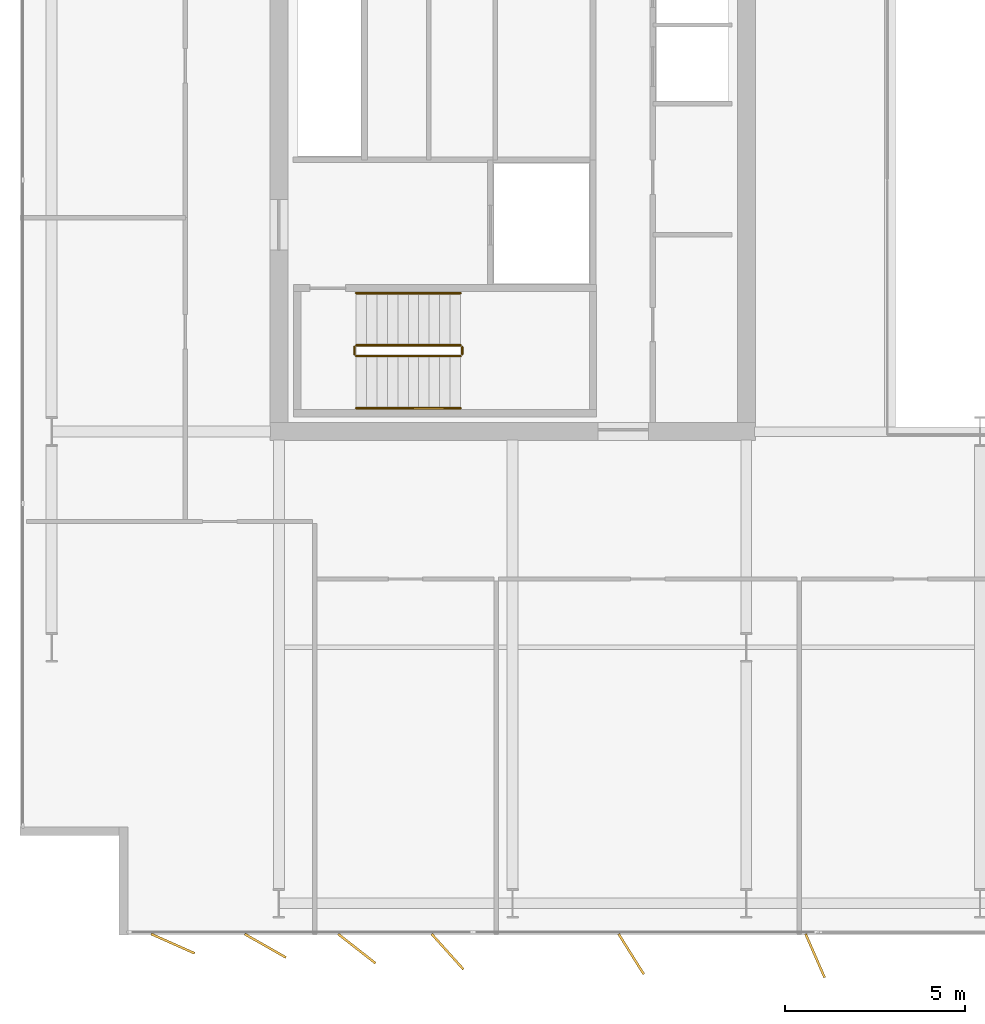
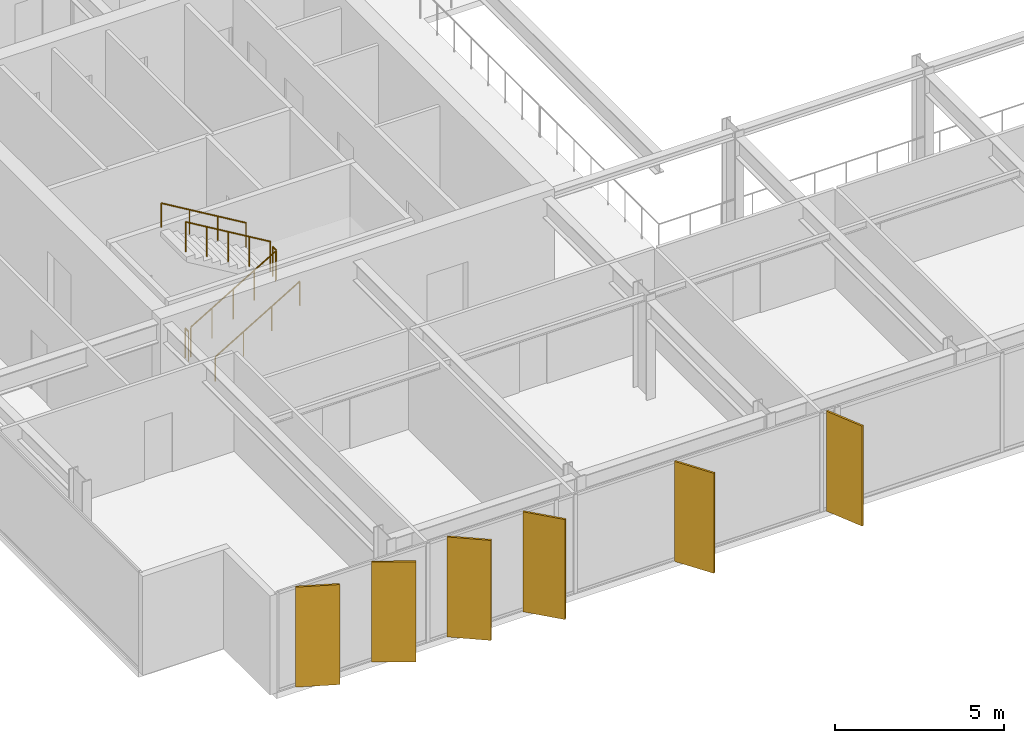
# One storey, part 21 of 24: 6 railings, 6 shading devices.
"""IFC4 building model written with IfcOpenShell, lengths in metres."""

from ifc_helpers import new_model, si_unit, direction, frame, origin, origin_2d, place, context, subcontext, project, spatial, rectangle, circle, extrude, material, layer, layer_set, type_object, element, save


model = new_model("IFC4")

# Units and contexts
model_context = context("Model", 3, precision=1e-05, world=origin(), true_north=direction((0.0, 1.0)))
body_context = subcontext(model_context, "Body", "Model", "MODEL_VIEW")
ifc_project = project(units=[si_unit("LENGTHUNIT", "METRE"), si_unit("AREAUNIT", "SQUARE_METRE"), si_unit("VOLUMEUNIT", "CUBIC_METRE"), si_unit("PLANEANGLEUNIT", "RADIAN"), si_unit("MASSUNIT", "GRAM", prefix="KILO")], contexts=[model_context])

# Site, building, storey
site_placement = place(None, origin())
site = spatial("IfcSite", under=ifc_project, at=site_placement, CompositionType="ELEMENT")
building_placement = place(site_placement, origin())
building = spatial("IfcBuilding", under=site, at=building_placement, Name="Putna Gate Headquarters", CompositionType="ELEMENT")
storey_placement = place(building_placement, frame((0.0, 0.0, 248.0)))
storey = spatial("IfcBuildingStorey", under=building, at=storey_placement, Name="L62", CompositionType="ELEMENT", Elevation=248.0)

# Railings
ifc_material_1 = material(Name="Powder-coated steel stair guardrail", Category="steel")
railing_type_1 = type_object("IfcRailingType", Name="RAIL-STAIR-GUARD-1100", PredefinedType="GUARDRAIL", material=ifc_material_1)
railing_1_placement = place(storey_placement, frame((15.14990234375, 21.10009765625, 0.172607421875)))
element("IfcRailing", 1, at=railing_1_placement, inside=storey, type_object=railing_type_1, Name="L62 ST1 stair guard 1", PredefinedType="GUARDRAIL", context=body_context, shape_type="SweptSolid", body=[
    extrude(circle(Radius=0.02392578125, at=origin_2d()), frame((0.0, 0.0, 1.076171875), z_axis=(0.859160404282, 0.0, 0.51170636083), x_axis=(0.0, 1.0, 0.0)), (0.0, 0.0, 1.0), 3.37548828125),
    extrude(circle(Radius=0.02099609375, at=origin_2d()), origin(), (0.0, 0.0, 1.0), 1.052001953125),
    extrude(circle(Radius=0.02099609375, at=origin_2d()), frame((0.72509765625, 0.0, 0.431884765625)), (0.0, 0.0, 1.0), 1.052001953125),
    extrude(circle(Radius=0.02099609375, at=origin_2d()), frame((1.4501953125, 0.0, 0.86376953125)), (0.0, 0.0, 1.0), 1.052001953125),
    extrude(circle(Radius=0.02099609375, at=origin_2d()), frame((2.175048828125, 0.0, 1.29541015625)), (0.0, 0.0, 1.0), 1.052001953125),
    extrude(circle(Radius=0.02099609375, at=origin_2d()), frame((2.900146484375, 0.0, 1.727294921875)), (0.0, 0.0, 1.0), 1.052001953125),
])
railing_2_placement = place(storey_placement, frame((18.10009765625, 21.14990234375, 1.89990234375)))
element("IfcRailing", 2, at=railing_2_placement, inside=storey, type_object=railing_type_1, Name="L62 ST1 stair guard 2", PredefinedType="GUARDRAIL", context=body_context, shape_type="SweptSolid", body=[
    extrude(circle(Radius=0.02392578125, at=origin_2d()), frame((0.0, 0.0, 1.076171875), z_axis=(0.0, 1.0, 0.0), x_axis=(-1.0, 0.0, 0.0)), (0.0, 0.0, 1.0), 0.2001953125),
    extrude(circle(Radius=0.02099609375, at=origin_2d()), origin(), (0.0, 0.0, 1.0), 1.052001953125),
    extrude(circle(Radius=0.02099609375, at=origin_2d()), frame((0.0, 0.2001953125, 0.0)), (0.0, 0.0, 1.0), 1.052001953125),
])
railing_3_placement = place(storey_placement, frame((18.050048828125, 21.39990234375, 2.07275390625)))
element("IfcRailing", 3, at=railing_3_placement, inside=storey, type_object=railing_type_1, Name="L62 ST1 stair guard 3", PredefinedType="GUARDRAIL", context=body_context, shape_type="SweptSolid", body=[
    extrude(circle(Radius=0.02392578125, at=origin_2d()), frame((0.0, 0.0, 1.076171875), z_axis=(-0.859160404282, 0.0, 0.51170636083), x_axis=(0.0, -1.0, 0.0)), (0.0, 0.0, 1.0), 3.37548828125),
    extrude(circle(Radius=0.02099609375, at=origin_2d()), origin(), (0.0, 0.0, 1.0), 1.052001953125),
    extrude(circle(Radius=0.02099609375, at=origin_2d()), frame((-0.72509765625, 0.0, 0.431884765625)), (0.0, 0.0, 1.0), 1.052001953125),
    extrude(circle(Radius=0.02099609375, at=origin_2d()), frame((-1.4501953125, 0.0, 0.86376953125)), (0.0, 0.0, 1.0), 1.052001953125),
    extrude(circle(Radius=0.02099609375, at=origin_2d()), frame((-2.175048828125, 0.0, 1.29541015625)), (0.0, 0.0, 1.0), 1.052001953125),
    extrude(circle(Radius=0.02099609375, at=origin_2d()), frame((-2.900146484375, 0.0, 1.727294921875)), (0.0, 0.0, 1.0), 1.052001953125),
])
railing_4_placement = place(storey_placement, frame((15.10009765625, 21.14990234375, 0.0)))
element("IfcRailing", 4, at=railing_4_placement, inside=storey, type_object=railing_type_1, Name="L62 ST1 stair guard 4", PredefinedType="GUARDRAIL", context=body_context, shape_type="SweptSolid", body=[
    extrude(circle(Radius=0.02392578125, at=origin_2d()), frame((0.0, 0.0, 1.076171875), z_axis=(0.0, 1.0, 0.0), x_axis=(-1.0, 0.0, 0.0)), (0.0, 0.0, 1.0), 0.2001953125),
    extrude(circle(Radius=0.02099609375, at=origin_2d()), origin(), (0.0, 0.0, 1.0), 1.052001953125),
    extrude(circle(Radius=0.02099609375, at=origin_2d()), frame((0.0, 0.2001953125, 0.0)), (0.0, 0.0, 1.0), 1.052001953125),
])
ifc_material_2 = material(Name="Brushed stainless steel handrail", Category="steel")
railing_type_2 = type_object("IfcRailingType", Name="RAIL-STAIR-HAND-900", PredefinedType="HANDRAIL", material=ifc_material_2)
railing_5_placement = place(storey_placement, frame((15.14990234375, 19.64990234375, 0.172607421875)))
element("IfcRailing", 5, at=railing_5_placement, inside=storey, type_object=railing_type_2, Name="L62 ST1 stair handrail 1", PredefinedType="HANDRAIL", context=body_context, shape_type="SweptSolid", body=[
    extrude(circle(Radius=0.02392578125, at=origin_2d()), frame((0.0, 0.0, 0.8759765625), z_axis=(0.859160404282, 0.0, 0.51170636083), x_axis=(0.0, 1.0, 0.0)), (0.0, 0.0, 1.0), 3.37548828125),
    extrude(circle(Radius=0.02099609375, at=origin_2d()), origin(), (0.0, 0.0, 1.0), 0.851806640625),
    extrude(circle(Radius=0.02099609375, at=origin_2d()), frame((0.966796875, 0.0, 0.57568359375)), (0.0, 0.0, 1.0), 0.851806640625),
    extrude(circle(Radius=0.02099609375, at=origin_2d()), frame((1.933349609375, 0.0, 1.151611328125)), (0.0, 0.0, 1.0), 0.851806640625),
    extrude(circle(Radius=0.02099609375, at=origin_2d()), frame((2.900146484375, 0.0, 1.727294921875)), (0.0, 0.0, 1.0), 0.851806640625),
])
railing_6_placement = place(storey_placement, frame((18.050048828125, 22.85009765625, 2.07275390625)))
element("IfcRailing", 6, at=railing_6_placement, inside=storey, type_object=railing_type_2, Name="L62 ST1 stair handrail 2", PredefinedType="HANDRAIL", context=body_context, shape_type="SweptSolid", body=[
    extrude(circle(Radius=0.02392578125, at=origin_2d()), frame((0.0, 0.0, 0.8759765625), z_axis=(-0.859160404282, 0.0, 0.51170636083), x_axis=(0.0, -1.0, 0.0)), (0.0, 0.0, 1.0), 3.37548828125),
    extrude(circle(Radius=0.02099609375, at=origin_2d()), origin(), (0.0, 0.0, 1.0), 0.851806640625),
    extrude(circle(Radius=0.02099609375, at=origin_2d()), frame((-0.966796875, 0.0, 0.57568359375)), (0.0, 0.0, 1.0), 0.851806640625),
    extrude(circle(Radius=0.02099609375, at=origin_2d()), frame((-1.933349609375, 0.0, 1.151611328125)), (0.0, 0.0, 1.0), 0.851806640625),
    extrude(circle(Radius=0.02099609375, at=origin_2d()), frame((-2.900146484375, 0.0, 1.727294921875)), (0.0, 0.0, 1.0), 0.851806640625),
])

# Shading devices
ifc_material_3 = material(Name="Anodised architectural bronze aluminium fin", Category="aluminium")
ifc_layer = layer(ifc_material_3, 0.06494140625)
ifc_layer_set = layer_set([ifc_layer], Name="Anodised architectural bronze aluminium fin")
shading_device_type = type_object("IfcShadingDeviceType", Name="SHADE-BRONZE-FIN-1320", PredefinedType="USERDEFINED", material=ifc_layer_set)
for number, where, z_axis, x_axis, name in (
    (7, (10.052978515625, 4.7568359375, -0.02001953125), (0.0, 0.0, 1.0), (0.913687379856, -0.40641773078, 0.0), "L62 Bronze Vertical Shading Fin S1"),
    (8, (12.623779296875, 4.69873046875, -0.02001953125), (0.0, 0.0, 1.0), (0.869322458298, -0.494245347472, 0.0), "L62 Bronze Vertical Shading Fin S2"),
    (9, (15.169677734375, 4.6181640625, -0.02001953125), (0.0, 0.0, 1.0), (0.787473187632, -0.616348909921, 0.0), "L62 Bronze Vertical Shading Fin S3"),
    (10, (17.691650390625, 4.534423828125, -0.02001953125), (0.0, 0.0, 1.0), (0.669130606359, -0.743144825477, 0.0), "L62 Bronze Vertical Shading Fin S4"),
    (11, (22.80029296875, 4.465576171875, -0.02001953125), (0.0, 0.0, 1.0), (0.530659123936, -0.847585331506, 0.0), "L62 Bronze Vertical Shading Fin S5"),
    (12, (27.914306640625, 4.42041015625, -0.02001953125), (0.0, 0.0, 1.0), (0.400668879095, -0.916222925562, 0.0), "L62 Bronze Vertical Shading Fin S6"),
):
    element("IfcShadingDevice", number, at=place(storey_placement, frame(where, z_axis=z_axis, x_axis=x_axis)), inside=storey, type_object=shading_device_type, Name=name, ObjectType="FIN", PredefinedType="USERDEFINED", context=body_context, shape_type="SweptSolid", body=[
        extrude(rectangle(XDim=1.320068359375, YDim=0.06494140625, at=origin_2d()), origin(), (0.0, 0.0, 1.0), 3.6201171875),
    ])

save(model, "model.ifc")
